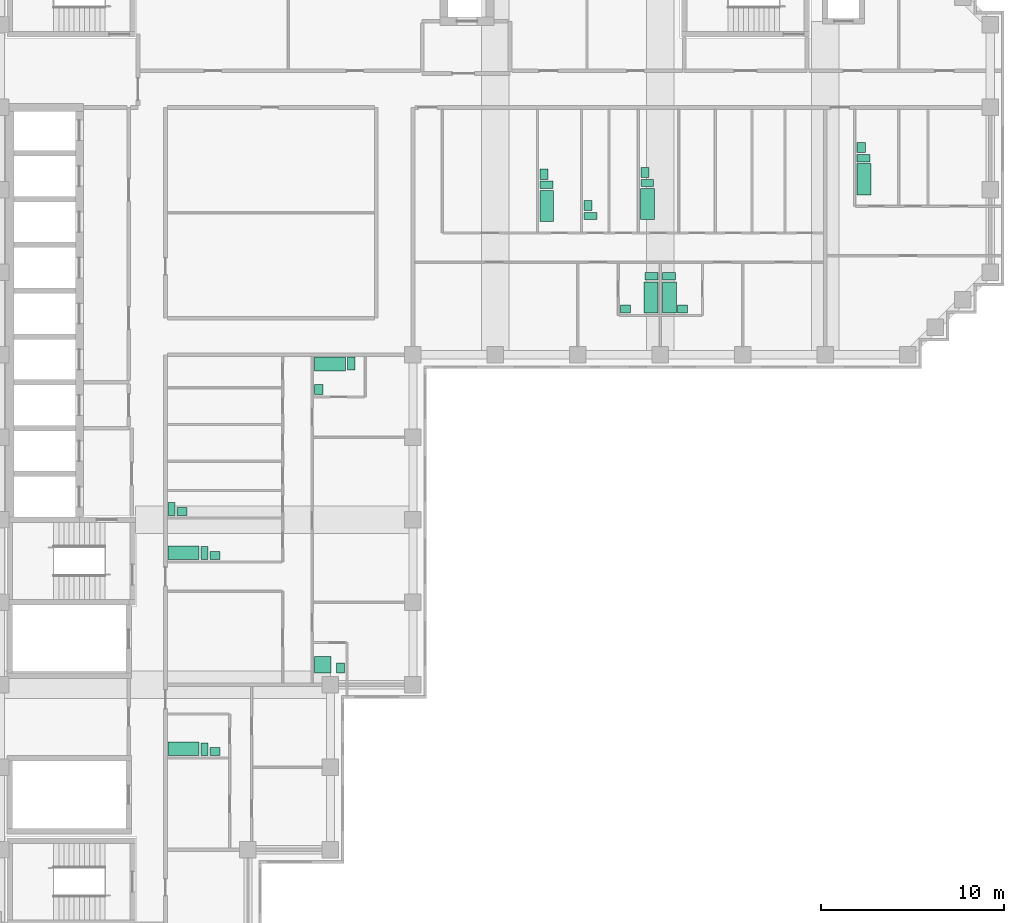
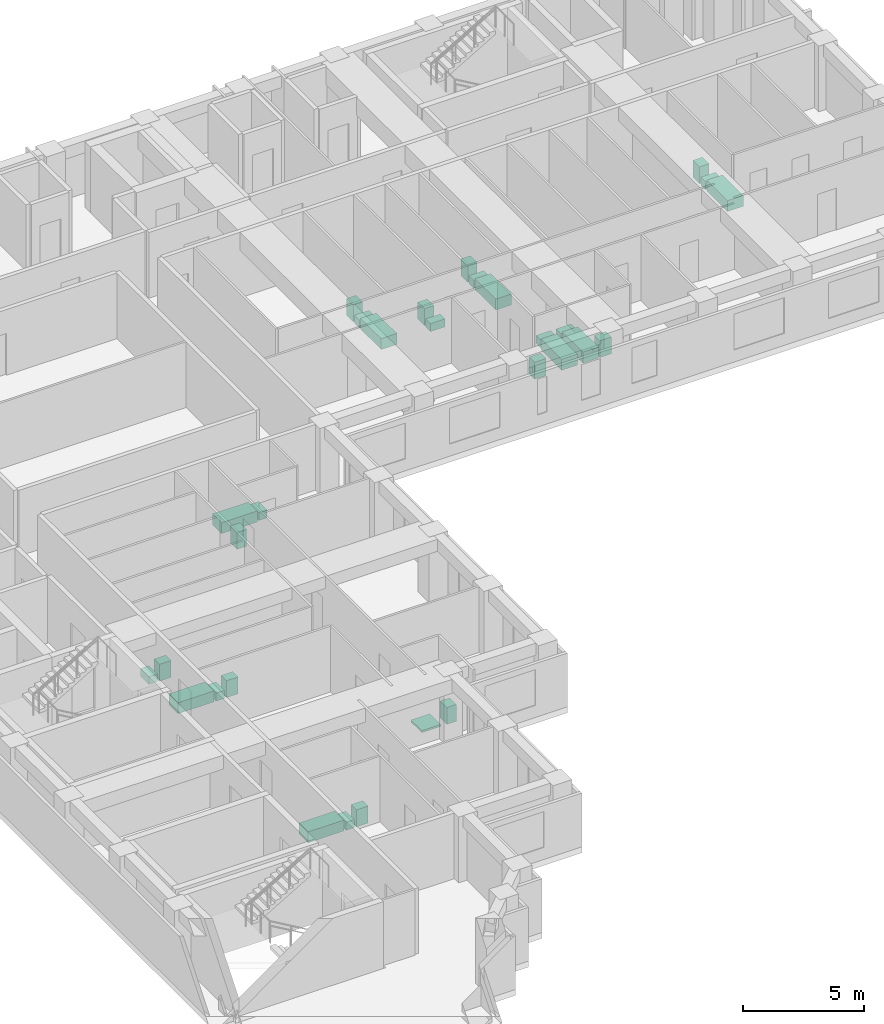
# One storey, part 10 of 10: 30 sanitary terminals.
"""IFC4 building model written with IfcOpenShell, lengths in metres."""

from ifc_helpers import new_model, si_unit, direction, frame, origin, origin_2d, place, context, subcontext, project, spatial, rectangle, extrude, material, type_object, element, save


model = new_model("IFC4")

# Units and contexts
model_context = context("Model", 3, precision=1e-05, world=origin(), true_north=direction((0.0, 1.0)))
body_context = subcontext(model_context, "Body", "Model", "MODEL_VIEW")
ifc_project = project(units=[si_unit("LENGTHUNIT", "METRE"), si_unit("AREAUNIT", "SQUARE_METRE"), si_unit("VOLUMEUNIT", "CUBIC_METRE"), si_unit("PLANEANGLEUNIT", "RADIAN"), si_unit("MASSUNIT", "GRAM", prefix="KILO")], contexts=[model_context])

# Site, building, storey
site_placement = place(None, origin())
site = spatial("IfcSite", under=ifc_project, at=site_placement, CompositionType="ELEMENT")
building_placement = place(site_placement, origin())
building = spatial("IfcBuilding", under=site, at=building_placement, Name="Firuza Court", CompositionType="ELEMENT")
storey_placement = place(building_placement, frame((0.0, 0.0, 204.199951171875)))
storey = spatial("IfcBuildingStorey", under=building, at=storey_placement, Name="L52", CompositionType="ELEMENT", Elevation=204.199951171875)

# Sanitary terminals
ifc_material_1 = material(Name="Vitreous china", Category="ceramic")
sanitary_terminal_type_1 = type_object("IfcSanitaryTerminalType", Name="Fixture Bath", PredefinedType="BATH", material=ifc_material_1)
for number, where, z_axis, x_axis, name in (
    (1, (29.804931640625, 44.1298828125, 0.0), (0.0, 0.0, 1.0), (1.0, 0.0, 0.0), "Bath"),
    (2, (35.304931640625, 44.22998046875, 0.0), (0.0, 0.0, 1.0), (1.0, 0.0, 0.0), "Bath"),
    (3, (35.4951171875, 39.1298828125, 0.0), (0.0, 0.0, 1.0), (1.0, 0.0, 0.0), "Bath"),
    (4, (36.5048828125, 39.1298828125, 0.0), (0.0, 0.0, 1.0), (1.0, 0.0, 0.0), "Bath"),
    (5, (47.10498046875, 45.580078125, 0.0), (0.0, 0.0, 1.0), (1.0, 0.0, 0.0), "Bath"),
):
    element("IfcSanitaryTerminal", number, at=place(storey_placement, frame(where, z_axis=z_axis, x_axis=x_axis)), inside=storey, type_object=sanitary_terminal_type_1, Name=name, PredefinedType="BATH", context=body_context, shape_type="SweptSolid", body=[
        extrude(rectangle(XDim=0.75, YDim=1.699951171875, at=origin_2d()), origin(), (0.0, 0.0, 1.0), 0.550048828125),
    ])
for number, where, z_axis, x_axis, name in (
    (6, (9.97998046875, 25.205078125, 0.0), (0.0, 0.0, 1.0), (1.0, 0.0, 0.0), "Bath"),
    (7, (17.97998046875, 35.4951171875, 0.0), (0.0, 0.0, 1.0), (1.0, 0.0, 0.0), "Bath"),
    (8, (9.97998046875, 14.5048828125, 0.0), (0.0, 0.0, 1.0), (1.0, 0.0, 0.0), "Bath"),
):
    element("IfcSanitaryTerminal", number, at=place(storey_placement, frame(where, z_axis=z_axis, x_axis=x_axis)), inside=storey, type_object=sanitary_terminal_type_1, Name=name, PredefinedType="BATH", context=body_context, shape_type="SweptSolid", body=[
        extrude(rectangle(XDim=1.699951171875, YDim=0.75, at=origin_2d()), origin(), (0.0, 0.0, 1.0), 0.550048828125),
    ])
ifc_material_2 = material(Name="Vitreous china", Category="ceramic")
sanitary_terminal_type_2 = type_object("IfcSanitaryTerminalType", Name="Fixture Shower tray", PredefinedType="SHOWER", material=ifc_material_2)
sanitary_terminal_1_placement = place(storey_placement, frame((17.580078125, 19.080078125, 0.0), z_axis=(0.0, 0.0, 1.0), x_axis=(1.0, 0.0, 0.0)))
element("IfcSanitaryTerminal", 9, at=sanitary_terminal_1_placement, inside=storey, type_object=sanitary_terminal_type_2, Name="Shower tray", PredefinedType="SHOWER", context=body_context, shape_type="SweptSolid", body=[
    extrude(rectangle(XDim=0.89990234375, YDim=0.89990234375, at=origin_2d()), origin(), (0.0, 0.0, 1.0), 0.10009765625),
])
ifc_material_3 = material(Name="Vitreous china", Category="ceramic")
sanitary_terminal_type_3 = type_object("IfcSanitaryTerminalType", Name="Fixture WC pan", PredefinedType="TOILETPAN", material=ifc_material_3)
for number, where, z_axis, x_axis, name in (
    (10, (29.780029296875, 45.280029296875, 0.0), (0.0, 0.0, 1.0), (1.0, 0.0, 0.0), "WC pan"),
    (11, (32.179931640625, 43.580078125, 0.0), (0.0, 0.0, 1.0), (1.0, 0.0, 0.0), "WC pan"),
    (12, (35.280029296875, 45.3798828125, 0.0), (0.0, 0.0, 1.0), (1.0, 0.0, 0.0), "WC pan"),
    (13, (35.52001953125, 40.280029296875, 0.0), (0.0, 0.0, 1.0), (1.0, 0.0, 0.0), "WC pan"),
    (14, (36.47998046875, 40.280029296875, 0.0), (0.0, 0.0, 1.0), (1.0, 0.0, 0.0), "WC pan"),
    (15, (47.080078125, 46.72998046875, 0.0), (0.0, 0.0, 1.0), (1.0, 0.0, 0.0), "WC pan"),
):
    element("IfcSanitaryTerminal", number, at=place(storey_placement, frame(where, z_axis=z_axis, x_axis=x_axis)), inside=storey, type_object=sanitary_terminal_type_3, Name=name, PredefinedType="TOILETPAN", context=body_context, shape_type="SweptSolid", body=[
        extrude(rectangle(XDim=0.699951171875, YDim=0.39990234375, at=origin_2d()), origin(), (0.0, 0.0, 1.0), 0.39990234375),
    ])
for number, where, z_axis, x_axis, name in (
    (16, (11.1298828125, 25.179931640625, 0.0), (0.0, 0.0, 1.0), (1.0, 0.0, 0.0), "WC pan"),
    (17, (9.330078125, 27.580078125, 0.0), (0.0, 0.0, 1.0), (1.0, 0.0, 0.0), "WC pan"),
    (18, (19.1298828125, 35.52001953125, 0.0), (0.0, 0.0, 1.0), (1.0, 0.0, 0.0), "WC pan"),
    (19, (11.1298828125, 14.47998046875, 0.0), (0.0, 0.0, 1.0), (1.0, 0.0, 0.0), "WC pan"),
):
    element("IfcSanitaryTerminal", number, at=place(storey_placement, frame(where, z_axis=z_axis, x_axis=x_axis)), inside=storey, type_object=sanitary_terminal_type_3, Name=name, PredefinedType="TOILETPAN", context=body_context, shape_type="SweptSolid", body=[
        extrude(rectangle(XDim=0.39990234375, YDim=0.699951171875, at=origin_2d()), origin(), (0.0, 0.0, 1.0), 0.39990234375),
    ])
ifc_material_4 = material(Name="Vitreous china", Category="ceramic")
sanitary_terminal_type_4 = type_object("IfcSanitaryTerminalType", Name="Fixture Washbasin", PredefinedType="WASHHANDBASIN", material=ifc_material_4)
for number, where, z_axis, x_axis, name in (
    (20, (29.655029296875, 45.85498046875, 0.0), (0.0, 0.0, 1.0), (1.0, 0.0, 0.0), "Washbasin"),
    (21, (32.054931640625, 44.155029296875, 0.0), (0.0, 0.0, 1.0), (1.0, 0.0, 0.0), "Washbasin"),
    (22, (35.155029296875, 45.955078125, 0.0), (0.0, 0.0, 1.0), (1.0, 0.0, 0.0), "Washbasin"),
):
    element("IfcSanitaryTerminal", number, at=place(storey_placement, frame(where, z_axis=z_axis, x_axis=x_axis)), inside=storey, type_object=sanitary_terminal_type_4, Name=name, PredefinedType="WASHHANDBASIN", context=body_context, shape_type="SweptSolid", body=[
        extrude(rectangle(XDim=0.449951171875, YDim=0.550048828125, at=origin_2d()), origin(), (0.0, 0.0, 1.0), 0.85009765625),
    ])
for number, where, z_axis, x_axis, name in (
    (23, (34.10498046875, 38.5048828125, 0.0), (0.0, 0.0, 1.0), (1.0, 0.0, 0.0), "Washbasin"),
    (24, (37.205078125, 38.5048828125, 0.0), (0.0, 0.0, 1.0), (1.0, 0.0, 0.0), "Washbasin"),
):
    element("IfcSanitaryTerminal", number, at=place(storey_placement, frame(where, z_axis=z_axis, x_axis=x_axis)), inside=storey, type_object=sanitary_terminal_type_4, Name=name, PredefinedType="WASHHANDBASIN", context=body_context, shape_type="SweptSolid", body=[
        extrude(rectangle(XDim=0.550048828125, YDim=0.449951171875, at=origin_2d()), origin(), (0.0, 0.0, 1.0), 0.85009765625),
    ])
sanitary_terminal_2_placement = place(storey_placement, frame((46.955078125, 47.304931640625, 0.0), z_axis=(0.0, 0.0, 1.0), x_axis=(1.0, 0.0, 0.0)))
element("IfcSanitaryTerminal", 25, at=sanitary_terminal_2_placement, inside=storey, type_object=sanitary_terminal_type_4, Name="Washbasin", PredefinedType="WASHHANDBASIN", context=body_context, shape_type="SweptSolid", body=[
    extrude(rectangle(XDim=0.449951171875, YDim=0.550048828125, at=origin_2d()), origin(), (0.0, 0.0, 1.0), 0.85009765625),
])
for number, where, z_axis, x_axis, name in (
    (26, (11.705078125, 25.054931640625, 0.0), (0.0, 0.0, 1.0), (1.0, 0.0, 0.0), "Washbasin"),
    (27, (9.905029296875, 27.455078125, 0.0), (0.0, 0.0, 1.0), (1.0, 0.0, 0.0), "Washbasin"),
):
    element("IfcSanitaryTerminal", number, at=place(storey_placement, frame(where, z_axis=z_axis, x_axis=x_axis)), inside=storey, type_object=sanitary_terminal_type_4, Name=name, PredefinedType="WASHHANDBASIN", context=body_context, shape_type="SweptSolid", body=[
        extrude(rectangle(XDim=0.550048828125, YDim=0.449951171875, at=origin_2d()), origin(), (0.0, 0.0, 1.0), 0.85009765625),
    ])
for number, where, z_axis, x_axis, name in (
    (28, (18.544921875, 18.905029296875, 0.0), (0.0, 0.0, 1.0), (1.0, 0.0, 0.0), "Washbasin"),
    (29, (17.35498046875, 34.10498046875, 0.0), (0.0, 0.0, 1.0), (1.0, 0.0, 0.0), "Washbasin"),
):
    element("IfcSanitaryTerminal", number, at=place(storey_placement, frame(where, z_axis=z_axis, x_axis=x_axis)), inside=storey, type_object=sanitary_terminal_type_4, Name=name, PredefinedType="WASHHANDBASIN", context=body_context, shape_type="SweptSolid", body=[
        extrude(rectangle(XDim=0.449951171875, YDim=0.550048828125, at=origin_2d()), origin(), (0.0, 0.0, 1.0), 0.85009765625),
    ])
sanitary_terminal_3_placement = place(storey_placement, frame((11.705078125, 14.35498046875, 0.0), z_axis=(0.0, 0.0, 1.0), x_axis=(1.0, 0.0, 0.0)))
element("IfcSanitaryTerminal", 30, at=sanitary_terminal_3_placement, inside=storey, type_object=sanitary_terminal_type_4, Name="Washbasin", PredefinedType="WASHHANDBASIN", context=body_context, shape_type="SweptSolid", body=[
    extrude(rectangle(XDim=0.550048828125, YDim=0.449951171875, at=origin_2d()), origin(), (0.0, 0.0, 1.0), 0.85009765625),
])

save(model, "model.ifc")
